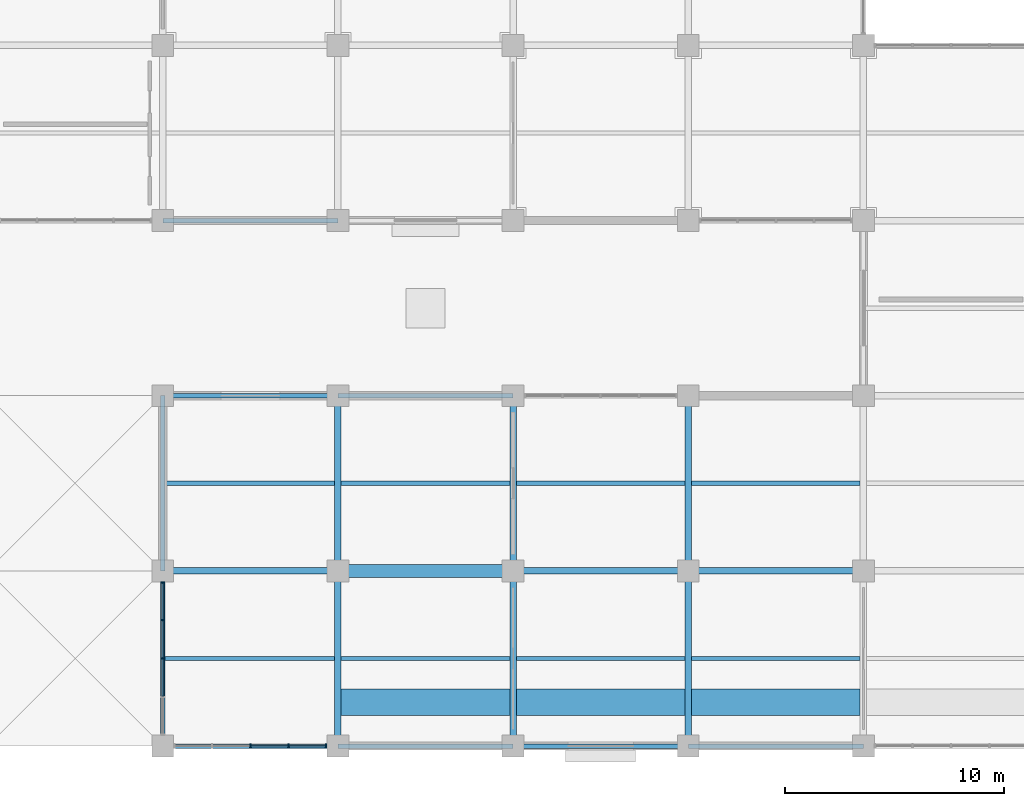
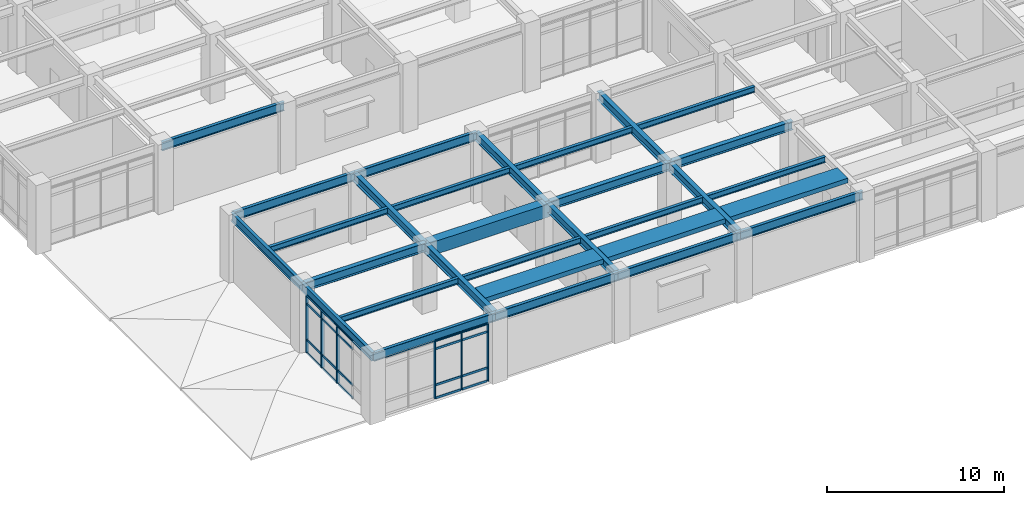
# One storey, part 8 of 117: 30 beams, 26 members, 2 elements without a shape of their own.
"""IFC4 building model written with IfcOpenShell, lengths in metres."""

from ifc_helpers import new_model, si_unit, direction, frame, origin, origin_2d, place, context, subcontext, project, spatial, rectangle, i_section, extrude, material, layer, layer_set, material_profile, profile_set, type_object, element, aggregate, save


model = new_model("IFC4")

# Units and contexts
model_context = context("Model", 3, precision=1e-05, world=origin(), true_north=direction((0.0, 1.0)))
body_context = subcontext(model_context, "Body", "Model", "MODEL_VIEW")
ifc_project = project(units=[si_unit("LENGTHUNIT", "METRE"), si_unit("AREAUNIT", "SQUARE_METRE"), si_unit("VOLUMEUNIT", "CUBIC_METRE"), si_unit("PLANEANGLEUNIT", "RADIAN"), si_unit("MASSUNIT", "GRAM", prefix="KILO")], contexts=[model_context])

# Site, building, storey
site_placement = place(None, origin())
site = spatial("IfcSite", under=ifc_project, at=site_placement, CompositionType="ELEMENT")
building_placement = place(site_placement, origin())
building = spatial("IfcBuilding", under=site, at=building_placement, Name="Haebicheon Civic Stadium", CompositionType="ELEMENT")
storey_placement = place(building_placement, frame((0.0, 0.0, 4.800048828125)))
storey = spatial("IfcBuildingStorey", under=building, at=storey_placement, Name="L02", CompositionType="ELEMENT", Elevation=4.800048828125)

# Beams
ifc_material_1 = material(Name="Precast concrete C40/50", Category="concrete")
ifc_material_profile_1 = material_profile(ifc_material_1, rectangle(XDim=1.199951171875, YDim=0.320068359375, at=origin_2d()), Name="PC-HB-1200x320")
ifc_profile_set_1 = profile_set([ifc_material_profile_1], Name="Precast concrete C40/50")
beam_type_1 = type_object("IfcBeamType", Name="BM-HB-1200x320", PredefinedType="HOLLOWCORE", material=ifc_profile_set_1)
for number, where, z_axis, x_axis, name in (
    (1, (40.14990234375, 2.0, 4.449951171875), (1.0, 0.0, 0.0), (0.0, 1.0, 0.0), "Precast hollowcore rib 1"),
    (2, (48.14990234375, 2.0, 4.449951171875), (1.0, 0.0, 0.0), (0.0, 1.0, 0.0), "Precast hollowcore rib 2"),
    (3, (56.14990234375, 2.0, 4.449951171875), (1.0, 0.0, 0.0), (0.0, 1.0, 0.0), "Precast hollowcore rib 3"),
):
    element("IfcBeam", number, at=place(storey_placement, frame(where, z_axis=z_axis, x_axis=x_axis)), inside=storey, type_object=beam_type_1, material=ifc_profile_set_1, Name=name, PredefinedType="HOLLOWCORE", context=body_context, shape_type="SweptSolid", body=[
        extrude(rectangle(XDim=1.199951171875, YDim=0.320068359375, at=origin_2d()), origin(), (0.0, 0.0, 1.0), 7.7001953125),
    ])
ifc_material_2 = material(Name="Concrete C40/50", Category="concrete")
ifc_material_profile_2 = material_profile(ifc_material_2, rectangle(XDim=0.60009765625, YDim=0.89990234375, at=origin_2d()), Name="RC-BM-600x900")
ifc_profile_set_2 = profile_set([ifc_material_profile_2], Name="Concrete C40/50")
beam_type_2 = type_object("IfcBeamType", Name="BM-RC-600x900", PredefinedType="BEAM", material=ifc_profile_set_2)
beam_placement = place(storey_placement, frame((40.0, 8.0, 4.1298828125), z_axis=(1.0, 0.0, 0.0), x_axis=(0.0, 1.0, 0.0)))
element("IfcBeam", 4, at=beam_placement, inside=storey, type_object=beam_type_2, material=ifc_profile_set_2, Name="L02 beam B/6-7", PredefinedType="BEAM", context=body_context, shape_type="SweptSolid", body=[
    extrude(rectangle(XDim=0.60009765625, YDim=0.89990234375, at=origin_2d()), origin(), (0.0, 0.0, 1.0), 8.0),
])
ifc_material_3 = material(Name="Steel SM355 (S355)", Category="steel")
ifc_material_profile_3 = material_profile(ifc_material_3, i_section(OverallWidth=0.300048828125, OverallDepth=0.60009765625, WebThickness=0.011962890625, FlangeThickness=0.02001953125, at=origin_2d()), Name="H-600x300x12x20")
ifc_profile_set_3 = profile_set([ifc_material_profile_3], Name="Steel SM355 (S355)")
beam_type_3 = type_object("IfcBeamType", Name="BM-ST-H600A", PredefinedType="BEAM", material=ifc_profile_set_3)
for number, where, z_axis, x_axis, name in (
    (5, (40.0, 0.0, 4.280029296875), (0.0, 1.0, 0.0), (-1.0, 0.0, 0.0), "L02 girder 6/A-B"),
    (6, (40.0, 8.0, 4.280029296875), (0.0, 1.0, 0.0), (-1.0, 0.0, 0.0), "L02 girder 6/B-C"),
    (7, (48.0, 0.0, 4.280029296875), (0.0, 1.0, 0.0), (-1.0, 0.0, 0.0), "L02 girder 7/A-B"),
    (8, (48.0, 8.0, 4.280029296875), (0.0, 1.0, 0.0), (-1.0, 0.0, 0.0), "L02 girder 7/B-C"),
    (9, (56.0, 0.0, 4.280029296875), (0.0, 1.0, 0.0), (-1.0, 0.0, 0.0), "L02 girder 8/A-B"),
    (10, (56.0, 8.0, 4.280029296875), (0.0, 1.0, 0.0), (-1.0, 0.0, 0.0), "L02 girder 8/B-C"),
    (11, (32.0, 8.0, 4.280029296875), (1.0, 0.0, 0.0), (0.0, 1.0, 0.0), "L02 beam B/5-6"),
    (12, (48.0, 8.0, 4.280029296875), (1.0, 0.0, 0.0), (0.0, 1.0, 0.0), "L02 beam B/7-8"),
    (13, (56.0, 8.0, 4.280029296875), (1.0, 0.0, 0.0), (0.0, 1.0, 0.0), "L02 beam B/8-9"),
):
    element("IfcBeam", number, at=place(storey_placement, frame(where, z_axis=z_axis, x_axis=x_axis)), inside=storey, type_object=beam_type_3, material=ifc_profile_set_3, Name=name, PredefinedType="BEAM", context=body_context, shape_type="SweptSolid", body=[
        extrude(i_section(OverallWidth=0.300048828125, OverallDepth=0.60009765625, WebThickness=0.011962890625, FlangeThickness=0.02001953125, at=origin_2d()), origin(), (0.0, 0.0, 1.0), 8.0),
    ])

# Curtain wall, members
ifc_material_4 = material(Name="Anodised aluminium and laminated glass", Category="aluminium")
ifc_layer = layer(ifc_material_4, 0.179931640625, Name="Anodised aluminium and laminated glass")
ifc_layer_set = layer_set([ifc_layer], Name="Anodised aluminium and laminated glass")
curtain_wall_type = type_object("IfcCurtainWallType", Name="CW-7000x3950", PredefinedType="NOTDEFINED", material=ifc_layer_set)
curtain_wall_1_placement = place(storey_placement, origin())
curtain_wall_1 = element("IfcCurtainWall", 14, at=curtain_wall_1_placement, inside=storey, type_object=curtain_wall_type, material=ifc_layer_set, Name="L02 unitised curtain wall 038", PredefinedType="NOTDEFINED")
ifc_material_5 = material(Name="Anodised aluminium 6063-T6", Category="aluminium")
ifc_material_profile_4 = material_profile(ifc_material_5, rectangle(XDim=0.070068359375, YDim=0.199951171875, at=origin_2d()), Name="ALU-MULL-70x200")
ifc_profile_set_4 = profile_set([ifc_material_profile_4], Name="Anodised aluminium 6063-T6")
member_type_1 = type_object("IfcMemberType", Name="CWM-200x70", PredefinedType="MULLION", material=ifc_profile_set_4)
member_1_placement = place(storey_placement, frame((36.0, 0.0, 0.0), z_axis=(0.0, 0.0, 1.0), x_axis=(1.0, 0.0, 0.0)))
member_1 = element("IfcMember", 15, at=member_1_placement, type_object=member_type_1, material=ifc_profile_set_4, Name="CW-L02-038 vertical mullion 3", PredefinedType="MULLION", context=body_context, shape_type="SweptSolid", body=[
    extrude(rectangle(XDim=0.070068359375, YDim=0.199951171875, at=origin_2d()), origin(), (0.0, 0.0, 1.0), 3.949951171875),
])
member_2_placement = place(storey_placement, frame((37.75, 0.0, 0.0), z_axis=(0.0, 0.0, 1.0), x_axis=(1.0, 0.0, 0.0)))
member_2 = element("IfcMember", 16, at=member_2_placement, type_object=member_type_1, material=ifc_profile_set_4, Name="CW-L02-038 vertical mullion 4", PredefinedType="MULLION", context=body_context, shape_type="SweptSolid", body=[
    extrude(rectangle(XDim=0.070068359375, YDim=0.199951171875, at=origin_2d()), origin(), (0.0, 0.0, 1.0), 3.949951171875),
])
member_3_placement = place(storey_placement, frame((39.465087890625, 0.0, 0.0), z_axis=(0.0, 0.0, 1.0), x_axis=(1.0, 0.0, 0.0)))
member_3 = element("IfcMember", 17, at=member_3_placement, type_object=member_type_1, material=ifc_profile_set_4, Name="CW-L02-038 vertical mullion 5", PredefinedType="MULLION", context=body_context, shape_type="SweptSolid", body=[
    extrude(rectangle(XDim=0.070068359375, YDim=0.199951171875, at=origin_2d()), origin(), (0.0, 0.0, 1.0), 3.949951171875),
])

curtain_wall_2_placement = place(storey_placement, origin())
curtain_wall_2 = element("IfcCurtainWall", 18, at=curtain_wall_2_placement, inside=storey, type_object=curtain_wall_type, material=ifc_layer_set, Name="L02 unitised curtain wall 039", PredefinedType="NOTDEFINED")
member_4_placement = place(storey_placement, frame((32.0, 4.0, 0.0), z_axis=(0.0, 0.0, 1.0), x_axis=(0.0, 1.0, 0.0)))
member_4 = element("IfcMember", 19, at=member_4_placement, type_object=member_type_1, material=ifc_profile_set_4, Name="CW-L02-039 vertical mullion 3", PredefinedType="MULLION", context=body_context, shape_type="SweptSolid", body=[
    extrude(rectangle(XDim=0.070068359375, YDim=0.199951171875, at=origin_2d()), origin(), (0.0, 0.0, 1.0), 3.949951171875),
])
member_5_placement = place(storey_placement, frame((32.0, 5.75, 0.0), z_axis=(0.0, 0.0, 1.0), x_axis=(0.0, 1.0, 0.0)))
member_5 = element("IfcMember", 20, at=member_5_placement, type_object=member_type_1, material=ifc_profile_set_4, Name="CW-L02-039 vertical mullion 4", PredefinedType="MULLION", context=body_context, shape_type="SweptSolid", body=[
    extrude(rectangle(XDim=0.070068359375, YDim=0.199951171875, at=origin_2d()), origin(), (0.0, 0.0, 1.0), 3.949951171875),
])
member_6_placement = place(storey_placement, frame((32.0, 7.465087890625, 0.0), z_axis=(0.0, 0.0, 1.0), x_axis=(0.0, 1.0, 0.0)))
member_6 = element("IfcMember", 21, at=member_6_placement, type_object=member_type_1, material=ifc_profile_set_4, Name="CW-L02-039 vertical mullion 5", PredefinedType="MULLION", context=body_context, shape_type="SweptSolid", body=[
    extrude(rectangle(XDim=0.070068359375, YDim=0.199951171875, at=origin_2d()), origin(), (0.0, 0.0, 1.0), 3.949951171875),
])

# Member
ifc_material_6 = material(Name="Anodised aluminium 6063-T6", Category="aluminium")
ifc_material_profile_5 = material_profile(ifc_material_6, rectangle(XDim=0.070068359375, YDim=0.14990234375, at=origin_2d()), Name="ALU-TRAN-70x150")
ifc_profile_set_5 = profile_set([ifc_material_profile_5], Name="Anodised aluminium 6063-T6")
member_type_2 = type_object("IfcMemberType", Name="CWT-150x70", PredefinedType="NOTDEFINED", material=ifc_profile_set_5)
member_7_placement = place(storey_placement, frame((36.034912109375, 0.0, 0.0), z_axis=(1.0, 0.0, 0.0), x_axis=(0.0, 1.0, 0.0)))
member_7 = element("IfcMember", 22, at=member_7_placement, type_object=member_type_2, material=ifc_profile_set_5, Name="CW-L02-038 horizontal transom 3.1", ObjectType="TRANSOM", PredefinedType="USERDEFINED", context=body_context, shape_type="SweptSolid", body=[
    extrude(rectangle(XDim=0.070068359375, YDim=0.14990234375, at=origin_2d()), origin(), (0.0, 0.0, 1.0), 1.68017578125),
])

member_8_placement = place(storey_placement, frame((36.034912109375, 0.0, 0.89990234375), z_axis=(1.0, 0.0, 0.0), x_axis=(0.0, 1.0, 0.0)))
member_8 = element("IfcMember", 23, at=member_8_placement, type_object=member_type_2, material=ifc_profile_set_5, Name="CW-L02-038 horizontal transom 3.2", ObjectType="TRANSOM", PredefinedType="USERDEFINED", context=body_context, shape_type="SweptSolid", body=[
    extrude(rectangle(XDim=0.070068359375, YDim=0.14990234375, at=origin_2d()), origin(), (0.0, 0.0, 1.0), 1.68017578125),
])

member_9_placement = place(storey_placement, frame((36.034912109375, 0.0, 3.39990234375), z_axis=(1.0, 0.0, 0.0), x_axis=(0.0, 1.0, 0.0)))
member_9 = element("IfcMember", 24, at=member_9_placement, type_object=member_type_2, material=ifc_profile_set_5, Name="CW-L02-038 horizontal transom 3.3", ObjectType="TRANSOM", PredefinedType="USERDEFINED", context=body_context, shape_type="SweptSolid", body=[
    extrude(rectangle(XDim=0.070068359375, YDim=0.14990234375, at=origin_2d()), origin(), (0.0, 0.0, 1.0), 1.68017578125),
])

member_10_placement = place(storey_placement, frame((36.034912109375, 0.0, 3.949951171875), z_axis=(1.0, 0.0, 0.0), x_axis=(0.0, 1.0, 0.0)))
member_10 = element("IfcMember", 25, at=member_10_placement, type_object=member_type_2, material=ifc_profile_set_5, Name="CW-L02-038 horizontal transom 3.4", ObjectType="TRANSOM", PredefinedType="USERDEFINED", context=body_context, shape_type="SweptSolid", body=[
    extrude(rectangle(XDim=0.070068359375, YDim=0.14990234375, at=origin_2d()), origin(), (0.0, 0.0, 1.0), 1.68017578125),
])

member_11_placement = place(storey_placement, frame((37.784912109375, 0.0, 0.0), z_axis=(1.0, 0.0, 0.0), x_axis=(0.0, 1.0, 0.0)))
member_11 = element("IfcMember", 26, at=member_11_placement, type_object=member_type_2, material=ifc_profile_set_5, Name="CW-L02-038 horizontal transom 4.1", ObjectType="TRANSOM", PredefinedType="USERDEFINED", context=body_context, shape_type="SweptSolid", body=[
    extrude(rectangle(XDim=0.070068359375, YDim=0.14990234375, at=origin_2d()), origin(), (0.0, 0.0, 1.0), 1.64501953125),
])

member_12_placement = place(storey_placement, frame((37.784912109375, 0.0, 0.89990234375), z_axis=(1.0, 0.0, 0.0), x_axis=(0.0, 1.0, 0.0)))
member_12 = element("IfcMember", 27, at=member_12_placement, type_object=member_type_2, material=ifc_profile_set_5, Name="CW-L02-038 horizontal transom 4.2", ObjectType="TRANSOM", PredefinedType="USERDEFINED", context=body_context, shape_type="SweptSolid", body=[
    extrude(rectangle(XDim=0.070068359375, YDim=0.14990234375, at=origin_2d()), origin(), (0.0, 0.0, 1.0), 1.64501953125),
])

member_13_placement = place(storey_placement, frame((37.784912109375, 0.0, 3.39990234375), z_axis=(1.0, 0.0, 0.0), x_axis=(0.0, 1.0, 0.0)))
member_13 = element("IfcMember", 28, at=member_13_placement, type_object=member_type_2, material=ifc_profile_set_5, Name="CW-L02-038 horizontal transom 4.3", ObjectType="TRANSOM", PredefinedType="USERDEFINED", context=body_context, shape_type="SweptSolid", body=[
    extrude(rectangle(XDim=0.070068359375, YDim=0.14990234375, at=origin_2d()), origin(), (0.0, 0.0, 1.0), 1.64501953125),
])

member_14_placement = place(storey_placement, frame((37.784912109375, 0.0, 3.949951171875), z_axis=(1.0, 0.0, 0.0), x_axis=(0.0, 1.0, 0.0)))
member_14 = element("IfcMember", 29, at=member_14_placement, type_object=member_type_2, material=ifc_profile_set_5, Name="CW-L02-038 horizontal transom 4.4", ObjectType="TRANSOM", PredefinedType="USERDEFINED", context=body_context, shape_type="SweptSolid", body=[
    extrude(rectangle(XDim=0.070068359375, YDim=0.14990234375, at=origin_2d()), origin(), (0.0, 0.0, 1.0), 1.64501953125),
])

aggregate(curtain_wall_1, [member_1, member_2, member_3, member_7, member_8, member_9, member_10, member_11, member_12, member_13, member_14])

member_15_placement = place(storey_placement, frame((32.0, 2.284912109375, 0.0), z_axis=(0.0, 1.0, 0.0), x_axis=(-1.0, 0.0, 0.0)))
member_15 = element("IfcMember", 30, at=member_15_placement, type_object=member_type_2, material=ifc_profile_set_5, Name="CW-L02-039 horizontal transom 2.1", ObjectType="TRANSOM", PredefinedType="USERDEFINED", context=body_context, shape_type="SweptSolid", body=[
    extrude(rectangle(XDim=0.070068359375, YDim=0.14990234375, at=origin_2d()), origin(), (0.0, 0.0, 1.0), 1.68017578125),
])

member_16_placement = place(storey_placement, frame((32.0, 2.284912109375, 0.89990234375), z_axis=(0.0, 1.0, 0.0), x_axis=(-1.0, 0.0, 0.0)))
member_16 = element("IfcMember", 31, at=member_16_placement, type_object=member_type_2, material=ifc_profile_set_5, Name="CW-L02-039 horizontal transom 2.2", ObjectType="TRANSOM", PredefinedType="USERDEFINED", context=body_context, shape_type="SweptSolid", body=[
    extrude(rectangle(XDim=0.070068359375, YDim=0.14990234375, at=origin_2d()), origin(), (0.0, 0.0, 1.0), 1.68017578125),
])

member_17_placement = place(storey_placement, frame((32.0, 2.284912109375, 3.39990234375), z_axis=(0.0, 1.0, 0.0), x_axis=(-1.0, 0.0, 0.0)))
member_17 = element("IfcMember", 32, at=member_17_placement, type_object=member_type_2, material=ifc_profile_set_5, Name="CW-L02-039 horizontal transom 2.3", ObjectType="TRANSOM", PredefinedType="USERDEFINED", context=body_context, shape_type="SweptSolid", body=[
    extrude(rectangle(XDim=0.070068359375, YDim=0.14990234375, at=origin_2d()), origin(), (0.0, 0.0, 1.0), 1.68017578125),
])

member_18_placement = place(storey_placement, frame((32.0, 2.284912109375, 3.949951171875), z_axis=(0.0, 1.0, 0.0), x_axis=(-1.0, 0.0, 0.0)))
member_18 = element("IfcMember", 33, at=member_18_placement, type_object=member_type_2, material=ifc_profile_set_5, Name="CW-L02-039 horizontal transom 2.4", ObjectType="TRANSOM", PredefinedType="USERDEFINED", context=body_context, shape_type="SweptSolid", body=[
    extrude(rectangle(XDim=0.070068359375, YDim=0.14990234375, at=origin_2d()), origin(), (0.0, 0.0, 1.0), 1.68017578125),
])

member_19_placement = place(storey_placement, frame((32.0, 4.034912109375, 0.0), z_axis=(0.0, 1.0, 0.0), x_axis=(-1.0, 0.0, 0.0)))
member_19 = element("IfcMember", 34, at=member_19_placement, type_object=member_type_2, material=ifc_profile_set_5, Name="CW-L02-039 horizontal transom 3.1", ObjectType="TRANSOM", PredefinedType="USERDEFINED", context=body_context, shape_type="SweptSolid", body=[
    extrude(rectangle(XDim=0.070068359375, YDim=0.14990234375, at=origin_2d()), origin(), (0.0, 0.0, 1.0), 1.68017578125),
])

member_20_placement = place(storey_placement, frame((32.0, 4.034912109375, 0.89990234375), z_axis=(0.0, 1.0, 0.0), x_axis=(-1.0, 0.0, 0.0)))
member_20 = element("IfcMember", 35, at=member_20_placement, type_object=member_type_2, material=ifc_profile_set_5, Name="CW-L02-039 horizontal transom 3.2", ObjectType="TRANSOM", PredefinedType="USERDEFINED", context=body_context, shape_type="SweptSolid", body=[
    extrude(rectangle(XDim=0.070068359375, YDim=0.14990234375, at=origin_2d()), origin(), (0.0, 0.0, 1.0), 1.68017578125),
])

member_21_placement = place(storey_placement, frame((32.0, 4.034912109375, 3.39990234375), z_axis=(0.0, 1.0, 0.0), x_axis=(-1.0, 0.0, 0.0)))
member_21 = element("IfcMember", 36, at=member_21_placement, type_object=member_type_2, material=ifc_profile_set_5, Name="CW-L02-039 horizontal transom 3.3", ObjectType="TRANSOM", PredefinedType="USERDEFINED", context=body_context, shape_type="SweptSolid", body=[
    extrude(rectangle(XDim=0.070068359375, YDim=0.14990234375, at=origin_2d()), origin(), (0.0, 0.0, 1.0), 1.68017578125),
])

member_22_placement = place(storey_placement, frame((32.0, 4.034912109375, 3.949951171875), z_axis=(0.0, 1.0, 0.0), x_axis=(-1.0, 0.0, 0.0)))
member_22 = element("IfcMember", 37, at=member_22_placement, type_object=member_type_2, material=ifc_profile_set_5, Name="CW-L02-039 horizontal transom 3.4", ObjectType="TRANSOM", PredefinedType="USERDEFINED", context=body_context, shape_type="SweptSolid", body=[
    extrude(rectangle(XDim=0.070068359375, YDim=0.14990234375, at=origin_2d()), origin(), (0.0, 0.0, 1.0), 1.68017578125),
])

member_23_placement = place(storey_placement, frame((32.0, 5.784912109375, 0.0), z_axis=(0.0, 1.0, 0.0), x_axis=(-1.0, 0.0, 0.0)))
member_23 = element("IfcMember", 38, at=member_23_placement, type_object=member_type_2, material=ifc_profile_set_5, Name="CW-L02-039 horizontal transom 4.1", ObjectType="TRANSOM", PredefinedType="USERDEFINED", context=body_context, shape_type="SweptSolid", body=[
    extrude(rectangle(XDim=0.070068359375, YDim=0.14990234375, at=origin_2d()), origin(), (0.0, 0.0, 1.0), 1.64501953125),
])

member_24_placement = place(storey_placement, frame((32.0, 5.784912109375, 0.89990234375), z_axis=(0.0, 1.0, 0.0), x_axis=(-1.0, 0.0, 0.0)))
member_24 = element("IfcMember", 39, at=member_24_placement, type_object=member_type_2, material=ifc_profile_set_5, Name="CW-L02-039 horizontal transom 4.2", ObjectType="TRANSOM", PredefinedType="USERDEFINED", context=body_context, shape_type="SweptSolid", body=[
    extrude(rectangle(XDim=0.070068359375, YDim=0.14990234375, at=origin_2d()), origin(), (0.0, 0.0, 1.0), 1.64501953125),
])

member_25_placement = place(storey_placement, frame((32.0, 5.784912109375, 3.39990234375), z_axis=(0.0, 1.0, 0.0), x_axis=(-1.0, 0.0, 0.0)))
member_25 = element("IfcMember", 40, at=member_25_placement, type_object=member_type_2, material=ifc_profile_set_5, Name="CW-L02-039 horizontal transom 4.3", ObjectType="TRANSOM", PredefinedType="USERDEFINED", context=body_context, shape_type="SweptSolid", body=[
    extrude(rectangle(XDim=0.070068359375, YDim=0.14990234375, at=origin_2d()), origin(), (0.0, 0.0, 1.0), 1.64501953125),
])

member_26_placement = place(storey_placement, frame((32.0, 5.784912109375, 3.949951171875), z_axis=(0.0, 1.0, 0.0), x_axis=(-1.0, 0.0, 0.0)))
member_26 = element("IfcMember", 41, at=member_26_placement, type_object=member_type_2, material=ifc_profile_set_5, Name="CW-L02-039 horizontal transom 4.4", ObjectType="TRANSOM", PredefinedType="USERDEFINED", context=body_context, shape_type="SweptSolid", body=[
    extrude(rectangle(XDim=0.070068359375, YDim=0.14990234375, at=origin_2d()), origin(), (0.0, 0.0, 1.0), 1.64501953125),
])

aggregate(curtain_wall_2, [member_4, member_5, member_6, member_15, member_16, member_17, member_18, member_19, member_20, member_21, member_22, member_23, member_24, member_25, member_26])

# Beams
ifc_material_7 = material(Name="Steel SM355 (S355)", Category="steel")
ifc_material_profile_6 = material_profile(ifc_material_7, i_section(OverallWidth=0.199951171875, OverallDepth=0.39990234375, WebThickness=0.008056640625, FlangeThickness=0.012939453125, at=origin_2d()), Name="H-400x200x8x13")
ifc_profile_set_6 = profile_set([ifc_material_profile_6], Name="Steel SM355 (S355)")
beam_type_4 = type_object("IfcBeamType", Name="JST-ST-H400", PredefinedType="JOIST", material=ifc_profile_set_6)
for number, where, z_axis, x_axis, name in (
    (42, (32.10009765625, 4.0, 4.3798828125), (1.0, 0.0, 0.0), (0.0, 1.0, 0.0), "L02 secondary joist 04-00"),
    (43, (32.10009765625, 12.0, 4.3798828125), (1.0, 0.0, 0.0), (0.0, 1.0, 0.0), "L02 secondary joist 04-01"),
):
    element("IfcBeam", number, at=place(storey_placement, frame(where, z_axis=z_axis, x_axis=x_axis)), inside=storey, type_object=beam_type_4, material=ifc_profile_set_6, Name=name, PredefinedType="JOIST", context=body_context, shape_type="SweptSolid", body=[
        extrude(i_section(OverallWidth=0.199951171875, OverallDepth=0.39990234375, WebThickness=0.008056640625, FlangeThickness=0.012939453125, at=origin_2d()), origin(), (0.0, 0.0, 1.0), 7.75),
    ])
for number, where, z_axis, x_axis, name in (
    (44, (40.14990234375, 4.0, 4.3798828125), (1.0, 0.0, 0.0), (0.0, 1.0, 0.0), "L02 secondary joist 05-00"),
    (45, (40.14990234375, 12.0, 4.3798828125), (1.0, 0.0, 0.0), (0.0, 1.0, 0.0), "L02 secondary joist 05-01"),
    (46, (48.14990234375, 4.0, 4.3798828125), (1.0, 0.0, 0.0), (0.0, 1.0, 0.0), "L02 secondary joist 06-00"),
    (47, (48.14990234375, 12.0, 4.3798828125), (1.0, 0.0, 0.0), (0.0, 1.0, 0.0), "L02 secondary joist 06-01"),
    (48, (56.14990234375, 4.0, 4.3798828125), (1.0, 0.0, 0.0), (0.0, 1.0, 0.0), "L02 secondary joist 07-00"),
    (49, (56.14990234375, 12.0, 4.3798828125), (1.0, 0.0, 0.0), (0.0, 1.0, 0.0), "L02 secondary joist 07-01"),
):
    element("IfcBeam", number, at=place(storey_placement, frame(where, z_axis=z_axis, x_axis=x_axis)), inside=storey, type_object=beam_type_4, material=ifc_profile_set_6, Name=name, PredefinedType="JOIST", context=body_context, shape_type="SweptSolid", body=[
        extrude(i_section(OverallWidth=0.199951171875, OverallDepth=0.39990234375, WebThickness=0.008056640625, FlangeThickness=0.012939453125, at=origin_2d()), origin(), (0.0, 0.0, 1.0), 7.7001953125),
    ])
ifc_material_8 = material(Name="Steel SM355 (S355)", Category="steel")
ifc_material_profile_7 = material_profile(ifc_material_8, i_section(OverallWidth=0.199951171875, OverallDepth=0.60009765625, WebThickness=0.010986328125, FlangeThickness=0.01708984375, at=origin_2d()), Name="H-600x200x11x17")
ifc_profile_set_7 = profile_set([ifc_material_profile_7], Name="Steel SM355 (S355)")
beam_type_5 = type_object("IfcBeamType", Name="SPD-ST-H600B", PredefinedType="SPANDREL", material=ifc_profile_set_7)
for number, where, z_axis, x_axis, name in (
    (50, (32.0, 0.0, 4.280029296875), (0.0, 1.0, 0.0), (-1.0, 0.0, 0.0), "L02 girder 5/A-B"),
    (51, (32.0, 8.0, 4.280029296875), (0.0, 1.0, 0.0), (-1.0, 0.0, 0.0), "L02 girder 5/B-C"),
    (52, (32.0, 0.0, 4.280029296875), (1.0, 0.0, 0.0), (0.0, 1.0, 0.0), "L02 beam A/5-6"),
    (53, (32.0, 16.0, 4.280029296875), (1.0, 0.0, 0.0), (0.0, 1.0, 0.0), "L02 beam C/5-6"),
    (54, (32.0, 24.0, 4.280029296875), (1.0, 0.0, 0.0), (0.0, 1.0, 0.0), "L02 beam D/5-6"),
    (55, (40.0, 0.0, 4.280029296875), (1.0, 0.0, 0.0), (0.0, 1.0, 0.0), "L02 beam A/6-7"),
    (56, (40.0, 16.0, 4.280029296875), (1.0, 0.0, 0.0), (0.0, 1.0, 0.0), "L02 beam C/6-7"),
    (57, (48.0, 0.0, 4.280029296875), (1.0, 0.0, 0.0), (0.0, 1.0, 0.0), "L02 beam A/7-8"),
    (58, (56.0, 0.0, 4.280029296875), (1.0, 0.0, 0.0), (0.0, 1.0, 0.0), "L02 beam A/8-9"),
):
    element("IfcBeam", number, at=place(storey_placement, frame(where, z_axis=z_axis, x_axis=x_axis)), inside=storey, type_object=beam_type_5, material=ifc_profile_set_7, Name=name, PredefinedType="SPANDREL", context=body_context, shape_type="SweptSolid", body=[
        extrude(i_section(OverallWidth=0.199951171875, OverallDepth=0.60009765625, WebThickness=0.010986328125, FlangeThickness=0.01708984375, at=origin_2d()), origin(), (0.0, 0.0, 1.0), 8.0),
    ])

save(model, "model.ifc")
